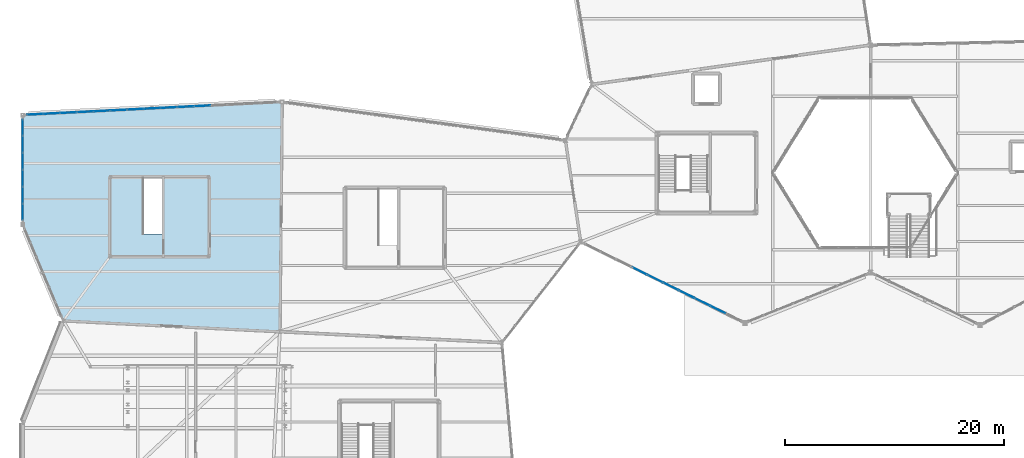
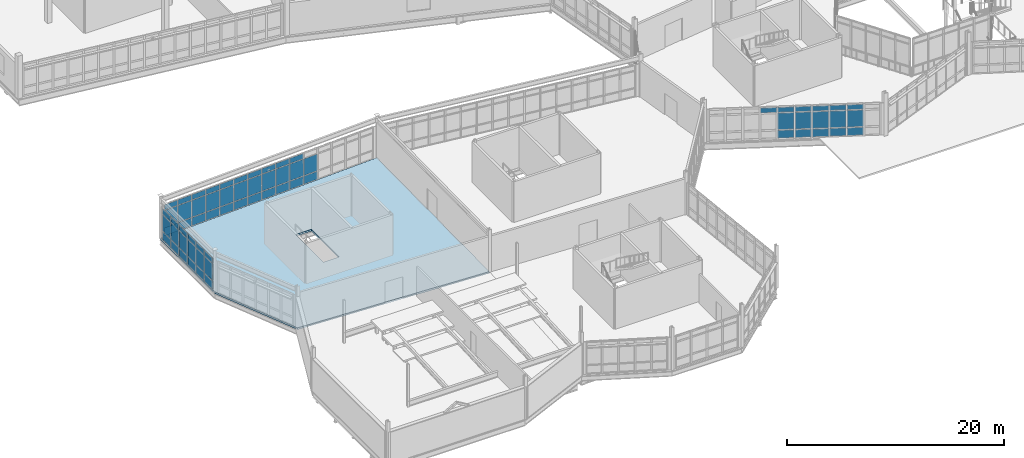
# One storey, part 83 of 134: 66 plates, 1 slab, 3 elements without a shape of their own.
"""IFC4 building model written with IfcOpenShell, lengths in metres."""

import ifcopenshell
import ifcopenshell.guid

model = None  # the IFC model being written
_history = None  # IfcOwnerHistory: only IFC2X3 demands one
_inside = {}  # id of a spatial element -> (the spatial element, [elements in it])
_under = {}  # id of a project, library or spatial element -> (it, [spatial elements below it])
_declared = {}  # id of a project -> (the project, [libraries it declares])
_typed = {}  # id of a type object -> (the type object, [elements of that type])
_made_of = {}  # id of a material, layer set ... -> (it, [elements and type objects made of it])


def new_model(schema):
    """Start an empty IFC model of exactly this schema.

    Asked for "IFC4X3", IfcOpenShell would pick the latest addendum, in which some entities
    have other attributes; the version numbers below select the first issue.
    IFC2X3 requires an IfcOwnerHistory on every rooted entity: one is made here for all.
    """
    global model, _history
    if schema == "IFC4X3":
        model = ifcopenshell.file(schema_version=(4, 3, 0, 0))
    else:
        model = ifcopenshell.file(schema=schema)
    _inside.clear()
    _under.clear()
    _declared.clear()
    _typed.clear()
    _made_of.clear()
    _history = None
    if model.schema == "IFC2X3":
        org = make("IfcOrganization", Name="unknown")
        user = make(
            "IfcPersonAndOrganization",
            ThePerson=make("IfcPerson", FamilyName="unknown"),
            TheOrganization=org,
        )
        app = make(
            "IfcApplication",
            ApplicationDeveloper=org,
            Version="unknown",
            ApplicationFullName="unknown",
            ApplicationIdentifier="unknown",
        )
        _history = make(
            "IfcOwnerHistory",
            OwningUser=user,
            OwningApplication=app,
            ChangeAction="ADDED",
            CreationDate=0,
        )
    return model


def make(cls, **values):
    """One entity of the class cls with the attributes given. An attribute that is None is left unset."""
    return model.create_entity(
        cls, **{name: value for name, value in values.items() if value is not None}
    )


def rooted(cls, **values):
    """An entity with a GlobalId (a new one), such as an element, a storey or a relation."""
    return make(cls, GlobalId=ifcopenshell.guid.new(), OwnerHistory=_history, **values)


def si_unit(unit_type, name, prefix=None):
    """IfcSIUnit, for example si_unit("LENGTHUNIT", "METRE", prefix="MILLI")."""
    return make("IfcSIUnit", UnitType=unit_type, Prefix=prefix, Name=name)


def assignment(units):
    """IfcUnitAssignment: the units of a project."""
    return None if units is None else make("IfcUnitAssignment", Units=units)


def point(xyz):
    """IfcCartesianPoint."""
    return None if xyz is None else make("IfcCartesianPoint", Coordinates=xyz)


def direction(xyz):
    """IfcDirection."""
    return None if xyz is None else make("IfcDirection", DirectionRatios=xyz)


def frame(location, z_axis=None, x_axis=None):
    """IfcAxis2Placement3D, a coordinate frame: its origin and axes. An axis left out is left unset."""
    return make(
        "IfcAxis2Placement3D",
        Location=point(location),
        Axis=direction(z_axis),
        RefDirection=direction(x_axis),
    )


def frame_2d(location, x_axis=None):
    """IfcAxis2Placement2D, a coordinate frame in the plane: its origin and x axis."""
    return make(
        "IfcAxis2Placement2D", Location=point(location), RefDirection=direction(x_axis)
    )


def origin():
    """The frame at (0, 0, 0) with its axes left unset."""
    return frame((0.0, 0.0, 0.0))


def origin_2d():
    """The frame at (0, 0) in the plane with its x axis left unset."""
    return frame_2d((0.0, 0.0))


def place(relative_to, where):
    """IfcLocalPlacement: puts the frame where relative to a parent placement (None: the world)."""
    return make(
        "IfcLocalPlacement", PlacementRelTo=relative_to, RelativePlacement=where
    )


def context(
    kind, dimensions, precision=None, world=None, true_north=None, identifier=None
):
    """IfcGeometricRepresentationContext, for example the 3D "Model" context."""
    return make(
        "IfcGeometricRepresentationContext",
        ContextIdentifier=identifier,
        ContextType=kind,
        CoordinateSpaceDimension=dimensions,
        Precision=precision,
        WorldCoordinateSystem=world,
        TrueNorth=true_north,
    )


def subcontext(parent, identifier, kind, view, scale=None):
    """IfcGeometricRepresentationSubContext, for example "Body" below "Model"."""
    return make(
        "IfcGeometricRepresentationSubContext",
        ContextIdentifier=identifier,
        ContextType=kind,
        ParentContext=parent,
        TargetScale=scale,
        TargetView=view,
    )


def project(units=None, contexts=None):
    """IfcProject with its units and contexts."""
    return rooted(
        "IfcProject",
        Name="project",
        RepresentationContexts=contexts,
        UnitsInContext=assignment(units),
    )


def spatial(cls, under=None, at=None, **own):
    """A site, building, storey or space (cls), placed at a placement, below another one or the project."""
    s = rooted(cls, ObjectPlacement=at, **own)
    if under is not None:
        _under.setdefault(under.id(), (under, []))[1].append(s)
    return s


def polyline(points):
    """IfcPolyline through the points."""
    return make("IfcPolyline", Points=[point(p) for p in points])


def profile(cls, at=None, kind="AREA", **sizes):
    """A parametric profile (cls). Its sizes go by their IFC names, for example OverallWidth=200.0."""
    return make(cls, ProfileType=kind, Position=at, **sizes)


def rectangle(**sizes):
    """IfcRectangleProfileDef."""
    return profile("IfcRectangleProfileDef", **sizes)


def outline(outer, holes=None, kind="AREA"):
    """IfcArbitraryClosedProfileDef: a profile drawn as a closed curve; with holes, ...WithVoids."""
    if holes is None:
        return make("IfcArbitraryClosedProfileDef", ProfileType=kind, OuterCurve=outer)
    return make(
        "IfcArbitraryProfileDefWithVoids",
        ProfileType=kind,
        OuterCurve=outer,
        InnerCurves=holes,
    )


def extrude(swept, where, along, depth):
    """IfcExtrudedAreaSolid: the profile swept, set in the frame where, extruded along a direction by depth."""
    return make(
        "IfcExtrudedAreaSolid",
        SweptArea=swept,
        Position=where,
        ExtrudedDirection=direction(along),
        Depth=depth,
    )


def shape(context_of_items, identifier, shape_type, items):
    """IfcShapeRepresentation: the items that make up one representation, for example the "Body"."""
    return make(
        "IfcShapeRepresentation",
        ContextOfItems=context_of_items,
        RepresentationIdentifier=identifier,
        RepresentationType=shape_type,
        Items=items,
    )


def material(Name=None, Category=None):
    """IfcMaterial."""
    return make("IfcMaterial", Name=Name, Category=Category)


def layer(
    of_material, thickness, ventilated=None, Name=None, Category=None, Priority=None
):
    """IfcMaterialLayer: one layer of a wall or slab, of a material (None: an air gap)."""
    return make(
        "IfcMaterialLayer",
        Material=of_material,
        LayerThickness=thickness,
        IsVentilated=ventilated,
        Name=Name,
        Category=Category,
        Priority=Priority,
    )


def layer_set(layers, Name=None):
    """IfcMaterialLayerSet."""
    return make("IfcMaterialLayerSet", MaterialLayers=layers, LayerSetName=Name)


def made_of(thing, what):
    """Note that an element or type object is made of a material, layer set ...; save() writes the relation."""
    if what is not None:
        _made_of.setdefault(what.id(), (what, []))[1].append(thing)
    return thing


def type_object(cls, material=None, **own):
    """A type object (cls), such as IfcWallType, which elements share."""
    return made_of(rooted(cls, **own), material)


def element(
    cls,
    number,
    at=None,
    inside=None,
    cuts=None,
    type_object=None,
    material=None,
    context=None,
    identifier="Body",
    shape_type=None,
    held_by="IfcProductDefinitionShape",
    body=None,
    shapes=None,
    **own,
):
    """One element of the class cls, such as IfcWall. Its Tag is "e" and its number.

    at: its placement. inside: the storey or other place that contains it. cuts: it is an
    opening in that element (IfcRelVoidsElement). A single representation is given by context,
    identifier, shape_type and body (its items); several are given by shapes. held_by: the class
    of the entity that holds the representations. save() writes the other relations.
    """
    e = rooted(cls, Tag="e%d" % number, ObjectPlacement=at, **own)
    if body is not None:
        shapes = [shape(context, identifier, shape_type, body)]
    if shapes is not None:
        e.Representation = make(held_by, Representations=shapes)
    if inside is not None:
        _inside.setdefault(inside.id(), (inside, []))[1].append(e)
    if cuts is not None:
        rooted(
            "IfcRelVoidsElement", RelatingBuildingElement=cuts, RelatedOpeningElement=e
        )
    if type_object is not None:
        _typed.setdefault(type_object.id(), (type_object, []))[1].append(e)
    return made_of(e, material)


def aggregate(whole, parts):
    """IfcRelAggregates: a whole, such as a stair, and the parts it consists of."""
    return rooted("IfcRelAggregates", RelatingObject=whole, RelatedObjects=parts)


def save(model, path):
    """Write the relations noted so far, then the file.

    IfcRelAggregates (storeys below a building ...), IfcRelContainedInSpatialStructure (elements
    in a storey), IfcRelDefinesByType, IfcRelAssociatesMaterial and IfcRelDeclares: one each for
    every whole, place, type object, material and project.
    """
    for whole, parts in _under.values():
        aggregate(whole, parts)
    for where, things in _inside.values():
        rooted(
            "IfcRelContainedInSpatialStructure",
            RelatedElements=things,
            RelatingStructure=where,
        )
    for kind, things in _typed.values():
        rooted("IfcRelDefinesByType", RelatedObjects=things, RelatingType=kind)
    for what, things in _made_of.values():
        rooted("IfcRelAssociatesMaterial", RelatedObjects=things, RelatingMaterial=what)
    for by, libraries in _declared.values():
        rooted("IfcRelDeclares", RelatingContext=by, RelatedDefinitions=libraries)
    model.write(path)


model = new_model("IFC4")

# Units and contexts
model_context = context("Model", 3, precision=1e-05, world=origin(), true_north=direction((0.0, 1.0)))
body_context = subcontext(model_context, "Body", "Model", "MODEL_VIEW")
ifc_project = project(units=[si_unit("LENGTHUNIT", "METRE"), si_unit("AREAUNIT", "SQUARE_METRE"), si_unit("VOLUMEUNIT", "CUBIC_METRE"), si_unit("PLANEANGLEUNIT", "RADIAN"), si_unit("MASSUNIT", "GRAM", prefix="KILO")], contexts=[model_context])

# Site, building, storey
site_placement = place(None, origin())
site = spatial("IfcSite", under=ifc_project, at=site_placement, CompositionType="ELEMENT")
building_placement = place(site_placement, origin())
building = spatial("IfcBuilding", under=site, at=building_placement, Name="Tameran Prism Museum", CompositionType="ELEMENT")
storey_placement = place(building_placement, frame((0.0, 0.0, 5.39990234375)))
storey = spatial("IfcBuildingStorey", under=building, at=storey_placement, Name="L01", CompositionType="ELEMENT", Elevation=5.39990234375)

# Curtain wall, plates
ifc_material_1 = material(Name="Anodised Aluminium 6063-T6 and Cyclone Solar Glass", Category="aluminium")
curtain_wall_type_1 = type_object("IfcCurtainWallType", Name="CW-FAC-1597x362", PredefinedType="USERDEFINED", material=ifc_material_1)
curtain_wall_1_placement = place(storey_placement, origin())
curtain_wall_1 = element("IfcCurtainWall", 1, at=curtain_wall_1_placement, inside=storey, type_object=curtain_wall_type_1, Name="Unitised Curtain Wall CW-062", ObjectType="UNITISED CURTAIN WALL", PredefinedType="USERDEFINED")
ifc_material_2 = material(Name="Cyclone Laminated Solar Glass", Category="glass")
ifc_layer_1 = layer(ifc_material_2, 0.031982421875)
ifc_layer_set_1 = layer_set([ifc_layer_1])
plate_type = type_object("IfcPlateType", Name="CW-PNL-G32", PredefinedType="CURTAIN_PANEL", material=ifc_layer_set_1)
plate_1_placement = place(storey_placement, frame((63.538330078125, 24.014404296875, 0.080078125), z_axis=(0.0, 0.0, 1.0), x_axis=(-0.896819470069, 0.442396697666, 0.0)))
plate_1 = element("IfcPlate", 2, at=plate_1_placement, type_object=plate_type, Name="CW-062 panel 2.1", PredefinedType="CURTAIN_PANEL", context=body_context, shape_type="SweptSolid", body=[
    extrude(rectangle(XDim=1.5166015625, YDim=0.031982421875, at=origin_2d()), origin(), (0.0, 0.0, 1.0), 0.8798828125),
])
plate_2_placement = place(storey_placement, frame((63.538330078125, 24.014404296875, 1.0400390625), z_axis=(0.0, 0.0, 1.0), x_axis=(-0.896819470069, 0.442396697666, 0.0)))
plate_2 = element("IfcPlate", 3, at=plate_2_placement, type_object=plate_type, Name="CW-062 panel 2.2", PredefinedType="CURTAIN_PANEL", context=body_context, shape_type="SweptSolid", body=[
    extrude(rectangle(XDim=1.5166015625, YDim=0.031982421875, at=origin_2d()), origin(), (0.0, 0.0, 1.0), 1.860107421875),
])
plate_3_placement = place(storey_placement, frame((63.538330078125, 24.014404296875, 2.97998046875), z_axis=(0.0, 0.0, 1.0), x_axis=(-0.896819470069, 0.442396697666, 0.0)))
plate_3 = element("IfcPlate", 4, at=plate_3_placement, type_object=plate_type, Name="CW-062 panel 2.3", PredefinedType="CURTAIN_PANEL", context=body_context, shape_type="SweptSolid", body=[
    extrude(rectangle(XDim=1.5166015625, YDim=0.031982421875, at=origin_2d()), origin(), (0.0, 0.0, 1.0), 0.56005859375),
])
plate_4_placement = place(storey_placement, frame((62.1064453125, 24.720703125, 0.080078125), z_axis=(0.0, 0.0, 1.0), x_axis=(-0.896819470069, 0.442396697666, 0.0)))
plate_4 = element("IfcPlate", 5, at=plate_4_placement, type_object=plate_type, Name="CW-062 panel 3.1", PredefinedType="CURTAIN_PANEL", context=body_context, shape_type="SweptSolid", body=[
    extrude(rectangle(XDim=1.5166015625, YDim=0.031982421875, at=origin_2d()), origin(), (0.0, 0.0, 1.0), 0.8798828125),
])
plate_5_placement = place(storey_placement, frame((62.1064453125, 24.720703125, 1.0400390625), z_axis=(0.0, 0.0, 1.0), x_axis=(-0.896819470069, 0.442396697666, 0.0)))
plate_5 = element("IfcPlate", 6, at=plate_5_placement, type_object=plate_type, Name="CW-062 panel 3.2", PredefinedType="CURTAIN_PANEL", context=body_context, shape_type="SweptSolid", body=[
    extrude(rectangle(XDim=1.5166015625, YDim=0.031982421875, at=origin_2d()), origin(), (0.0, 0.0, 1.0), 1.860107421875),
])
plate_6_placement = place(storey_placement, frame((62.1064453125, 24.720703125, 2.97998046875), z_axis=(0.0, 0.0, 1.0), x_axis=(-0.896819470069, 0.442396697666, 0.0)))
plate_6 = element("IfcPlate", 7, at=plate_6_placement, type_object=plate_type, Name="CW-062 panel 3.3", PredefinedType="CURTAIN_PANEL", context=body_context, shape_type="SweptSolid", body=[
    extrude(rectangle(XDim=1.5166015625, YDim=0.031982421875, at=origin_2d()), origin(), (0.0, 0.0, 1.0), 0.56005859375),
])
plate_7_placement = place(storey_placement, frame((60.6748046875, 25.427001953125, 0.080078125), z_axis=(0.0, 0.0, 1.0), x_axis=(-0.896819470069, 0.442396697666, 0.0)))
plate_7 = element("IfcPlate", 8, at=plate_7_placement, type_object=plate_type, Name="CW-062 panel 4.1", PredefinedType="CURTAIN_PANEL", context=body_context, shape_type="SweptSolid", body=[
    extrude(rectangle(XDim=1.5166015625, YDim=0.031982421875, at=origin_2d()), origin(), (0.0, 0.0, 1.0), 0.8798828125),
])
plate_8_placement = place(storey_placement, frame((60.6748046875, 25.427001953125, 1.0400390625), z_axis=(0.0, 0.0, 1.0), x_axis=(-0.896819470069, 0.442396697666, 0.0)))
plate_8 = element("IfcPlate", 9, at=plate_8_placement, type_object=plate_type, Name="CW-062 panel 4.2", PredefinedType="CURTAIN_PANEL", context=body_context, shape_type="SweptSolid", body=[
    extrude(rectangle(XDim=1.5166015625, YDim=0.031982421875, at=origin_2d()), origin(), (0.0, 0.0, 1.0), 1.860107421875),
])
plate_9_placement = place(storey_placement, frame((60.6748046875, 25.427001953125, 2.97998046875), z_axis=(0.0, 0.0, 1.0), x_axis=(-0.896819470069, 0.442396697666, 0.0)))
plate_9 = element("IfcPlate", 10, at=plate_9_placement, type_object=plate_type, Name="CW-062 panel 4.3", PredefinedType="CURTAIN_PANEL", context=body_context, shape_type="SweptSolid", body=[
    extrude(rectangle(XDim=1.5166015625, YDim=0.031982421875, at=origin_2d()), origin(), (0.0, 0.0, 1.0), 0.56005859375),
])
plate_10_placement = place(storey_placement, frame((59.242919921875, 26.13330078125, 0.080078125), z_axis=(0.0, 0.0, 1.0), x_axis=(-0.896819470069, 0.442396697666, 0.0)))
plate_10 = element("IfcPlate", 11, at=plate_10_placement, type_object=plate_type, Name="CW-062 panel 5.1", PredefinedType="CURTAIN_PANEL", context=body_context, shape_type="SweptSolid", body=[
    extrude(rectangle(XDim=1.5166015625, YDim=0.031982421875, at=origin_2d()), origin(), (0.0, 0.0, 1.0), 0.8798828125),
])
plate_11_placement = place(storey_placement, frame((59.242919921875, 26.13330078125, 1.0400390625), z_axis=(0.0, 0.0, 1.0), x_axis=(-0.896819470069, 0.442396697666, 0.0)))
plate_11 = element("IfcPlate", 12, at=plate_11_placement, type_object=plate_type, Name="CW-062 panel 5.2", PredefinedType="CURTAIN_PANEL", context=body_context, shape_type="SweptSolid", body=[
    extrude(rectangle(XDim=1.5166015625, YDim=0.031982421875, at=origin_2d()), origin(), (0.0, 0.0, 1.0), 1.860107421875),
])
plate_12_placement = place(storey_placement, frame((59.242919921875, 26.13330078125, 2.97998046875), z_axis=(0.0, 0.0, 1.0), x_axis=(-0.896819470069, 0.442396697666, 0.0)))
plate_12 = element("IfcPlate", 13, at=plate_12_placement, type_object=plate_type, Name="CW-062 panel 5.3", PredefinedType="CURTAIN_PANEL", context=body_context, shape_type="SweptSolid", body=[
    extrude(rectangle(XDim=1.5166015625, YDim=0.031982421875, at=origin_2d()), origin(), (0.0, 0.0, 1.0), 0.56005859375),
])
plate_13_placement = place(storey_placement, frame((57.81103515625, 26.839599609375, 0.080078125), z_axis=(0.0, 0.0, 1.0), x_axis=(-0.896819470069, 0.442396697666, 0.0)))
plate_13 = element("IfcPlate", 14, at=plate_13_placement, type_object=plate_type, Name="CW-062 panel 6.1", PredefinedType="CURTAIN_PANEL", context=body_context, shape_type="SweptSolid", body=[
    extrude(rectangle(XDim=1.5166015625, YDim=0.031982421875, at=origin_2d()), origin(), (0.0, 0.0, 1.0), 0.8798828125),
])
plate_14_placement = place(storey_placement, frame((57.81103515625, 26.839599609375, 1.0400390625), z_axis=(0.0, 0.0, 1.0), x_axis=(-0.896819470069, 0.442396697666, 0.0)))
plate_14 = element("IfcPlate", 15, at=plate_14_placement, type_object=plate_type, Name="CW-062 panel 6.2", PredefinedType="CURTAIN_PANEL", context=body_context, shape_type="SweptSolid", body=[
    extrude(rectangle(XDim=1.5166015625, YDim=0.031982421875, at=origin_2d()), origin(), (0.0, 0.0, 1.0), 1.860107421875),
])
plate_15_placement = place(storey_placement, frame((57.81103515625, 26.839599609375, 2.97998046875), z_axis=(0.0, 0.0, 1.0), x_axis=(-0.896819470069, 0.442396697666, 0.0)))
plate_15 = element("IfcPlate", 16, at=plate_15_placement, type_object=plate_type, Name="CW-062 panel 6.3", PredefinedType="CURTAIN_PANEL", context=body_context, shape_type="SweptSolid", body=[
    extrude(rectangle(XDim=1.5166015625, YDim=0.031982421875, at=origin_2d()), origin(), (0.0, 0.0, 1.0), 0.56005859375),
])
plate_16_placement = place(storey_placement, frame((56.37939453125, 27.5458984375, 2.97998046875), z_axis=(0.0, 0.0, 1.0), x_axis=(-0.896819470069, 0.442396697666, 0.0)))
plate_16 = element("IfcPlate", 17, at=plate_16_placement, type_object=plate_type, Name="CW-062 panel 7.3", PredefinedType="CURTAIN_PANEL", context=body_context, shape_type="SweptSolid", body=[
    extrude(rectangle(XDim=1.5166015625, YDim=0.031982421875, at=origin_2d()), origin(), (0.0, 0.0, 1.0), 0.56005859375),
])
aggregate(curtain_wall_1, [plate_1, plate_2, plate_3, plate_4, plate_5, plate_6, plate_7, plate_8, plate_9, plate_10, plate_11, plate_12, plate_13, plate_14, plate_15, plate_16])

ifc_material_3 = material(Name="Anodised Aluminium 6063-T6 and Cyclone Solar Glass", Category="aluminium")
curtain_wall_type_2 = type_object("IfcCurtainWallType", Name="CW-FAC-2297x362", PredefinedType="USERDEFINED", material=ifc_material_3)
curtain_wall_2_placement = place(storey_placement, origin())
curtain_wall_2 = element("IfcCurtainWall", 18, at=curtain_wall_2_placement, inside=storey, type_object=curtain_wall_type_2, Name="Unitised Curtain Wall CW-087", ObjectType="UNITISED CURTAIN WALL", PredefinedType="USERDEFINED")
plate_17_placement = place(storey_placement, frame((1.130859375, 41.857421875, 0.06494140625), z_axis=(0.0, 0.0, 1.0), x_axis=(0.99872175444, 0.050545595335, 0.0)))
plate_17 = element("IfcPlate", 19, at=plate_17_placement, type_object=plate_type, Name="CW-087 panel 1.1", PredefinedType="CURTAIN_PANEL", context=body_context, shape_type="SweptSolid", body=[
    extrude(rectangle(XDim=1.433837890625, YDim=0.031982421875, at=origin_2d()), origin(), (0.0, 0.0, 1.0), 0.902587890625),
])
plate_18_placement = place(storey_placement, frame((1.130859375, 41.857421875, 1.03271484375), z_axis=(0.0, 0.0, 1.0), x_axis=(0.99872175444, 0.050545595335, 0.0)))
plate_18 = element("IfcPlate", 20, at=plate_18_placement, type_object=plate_type, Name="CW-087 panel 1.2", PredefinedType="CURTAIN_PANEL", context=body_context, shape_type="SweptSolid", body=[
    extrude(rectangle(XDim=1.433837890625, YDim=0.031982421875, at=origin_2d()), origin(), (0.0, 0.0, 1.0), 1.875),
])
plate_19_placement = place(storey_placement, frame((1.130859375, 41.857421875, 2.97265625), z_axis=(0.0, 0.0, 1.0), x_axis=(0.99872175444, 0.050545595335, 0.0)))
plate_19 = element("IfcPlate", 21, at=plate_19_placement, type_object=plate_type, Name="CW-087 panel 1.3", PredefinedType="CURTAIN_PANEL", context=body_context, shape_type="SweptSolid", body=[
    extrude(rectangle(XDim=1.433837890625, YDim=0.031982421875, at=origin_2d()), origin(), (0.0, 0.0, 1.0), 0.58251953125),
])
plate_20_placement = place(storey_placement, frame((2.64404296875, 41.93408203125, 0.06494140625), z_axis=(0.0, 0.0, 1.0), x_axis=(0.99872175444, 0.050545595335, 0.0)))
plate_20 = element("IfcPlate", 22, at=plate_20_placement, type_object=plate_type, Name="CW-087 panel 2.1", PredefinedType="CURTAIN_PANEL", context=body_context, shape_type="SweptSolid", body=[
    extrude(rectangle(XDim=1.46630859375, YDim=0.031982421875, at=origin_2d()), origin(), (0.0, 0.0, 1.0), 0.902587890625),
])
plate_21_placement = place(storey_placement, frame((2.64404296875, 41.93408203125, 1.03271484375), z_axis=(0.0, 0.0, 1.0), x_axis=(0.99872175444, 0.050545595335, 0.0)))
plate_21 = element("IfcPlate", 23, at=plate_21_placement, type_object=plate_type, Name="CW-087 panel 2.2", PredefinedType="CURTAIN_PANEL", context=body_context, shape_type="SweptSolid", body=[
    extrude(rectangle(XDim=1.46630859375, YDim=0.031982421875, at=origin_2d()), origin(), (0.0, 0.0, 1.0), 1.875),
])
plate_22_placement = place(storey_placement, frame((2.64404296875, 41.93408203125, 2.97265625), z_axis=(0.0, 0.0, 1.0), x_axis=(0.99872175444, 0.050545595335, 0.0)))
plate_22 = element("IfcPlate", 24, at=plate_22_placement, type_object=plate_type, Name="CW-087 panel 2.3", PredefinedType="CURTAIN_PANEL", context=body_context, shape_type="SweptSolid", body=[
    extrude(rectangle(XDim=1.46630859375, YDim=0.031982421875, at=origin_2d()), origin(), (0.0, 0.0, 1.0), 0.58251953125),
])
plate_23_placement = place(storey_placement, frame((4.17333984375, 42.011474609375, 0.06494140625), z_axis=(0.0, 0.0, 1.0), x_axis=(0.99872175444, 0.050545595335, 0.0)))
plate_23 = element("IfcPlate", 25, at=plate_23_placement, type_object=plate_type, Name="CW-087 panel 3.1", PredefinedType="CURTAIN_PANEL", context=body_context, shape_type="SweptSolid", body=[
    extrude(rectangle(XDim=1.46630859375, YDim=0.031982421875, at=origin_2d()), origin(), (0.0, 0.0, 1.0), 0.902587890625),
])
plate_24_placement = place(storey_placement, frame((4.17333984375, 42.011474609375, 1.03271484375), z_axis=(0.0, 0.0, 1.0), x_axis=(0.99872175444, 0.050545595335, 0.0)))
plate_24 = element("IfcPlate", 26, at=plate_24_placement, type_object=plate_type, Name="CW-087 panel 3.2", PredefinedType="CURTAIN_PANEL", context=body_context, shape_type="SweptSolid", body=[
    extrude(rectangle(XDim=1.46630859375, YDim=0.031982421875, at=origin_2d()), origin(), (0.0, 0.0, 1.0), 1.875),
])
plate_25_placement = place(storey_placement, frame((4.17333984375, 42.011474609375, 2.97265625), z_axis=(0.0, 0.0, 1.0), x_axis=(0.99872175444, 0.050545595335, 0.0)))
plate_25 = element("IfcPlate", 27, at=plate_25_placement, type_object=plate_type, Name="CW-087 panel 3.3", PredefinedType="CURTAIN_PANEL", context=body_context, shape_type="SweptSolid", body=[
    extrude(rectangle(XDim=1.46630859375, YDim=0.031982421875, at=origin_2d()), origin(), (0.0, 0.0, 1.0), 0.58251953125),
])
plate_26_placement = place(storey_placement, frame((5.70263671875, 42.0888671875, 0.06494140625), z_axis=(0.0, 0.0, 1.0), x_axis=(0.99872175444, 0.050545595335, 0.0)))
plate_26 = element("IfcPlate", 28, at=plate_26_placement, type_object=plate_type, Name="CW-087 panel 4.1", PredefinedType="CURTAIN_PANEL", context=body_context, shape_type="SweptSolid", body=[
    extrude(rectangle(XDim=1.46630859375, YDim=0.031982421875, at=origin_2d()), origin(), (0.0, 0.0, 1.0), 0.902587890625),
])
plate_27_placement = place(storey_placement, frame((5.70263671875, 42.0888671875, 1.03271484375), z_axis=(0.0, 0.0, 1.0), x_axis=(0.99872175444, 0.050545595335, 0.0)))
plate_27 = element("IfcPlate", 29, at=plate_27_placement, type_object=plate_type, Name="CW-087 panel 4.2", PredefinedType="CURTAIN_PANEL", context=body_context, shape_type="SweptSolid", body=[
    extrude(rectangle(XDim=1.46630859375, YDim=0.031982421875, at=origin_2d()), origin(), (0.0, 0.0, 1.0), 1.875),
])
plate_28_placement = place(storey_placement, frame((5.70263671875, 42.0888671875, 2.97265625), z_axis=(0.0, 0.0, 1.0), x_axis=(0.99872175444, 0.050545595335, 0.0)))
plate_28 = element("IfcPlate", 30, at=plate_28_placement, type_object=plate_type, Name="CW-087 panel 4.3", PredefinedType="CURTAIN_PANEL", context=body_context, shape_type="SweptSolid", body=[
    extrude(rectangle(XDim=1.46630859375, YDim=0.031982421875, at=origin_2d()), origin(), (0.0, 0.0, 1.0), 0.58251953125),
])
plate_29_placement = place(storey_placement, frame((7.23193359375, 42.166259765625, 0.06494140625), z_axis=(0.0, 0.0, 1.0), x_axis=(0.99872175444, 0.050545595335, 0.0)))
plate_29 = element("IfcPlate", 31, at=plate_29_placement, type_object=plate_type, Name="CW-087 panel 5.1", PredefinedType="CURTAIN_PANEL", context=body_context, shape_type="SweptSolid", body=[
    extrude(rectangle(XDim=1.46630859375, YDim=0.031982421875, at=origin_2d()), origin(), (0.0, 0.0, 1.0), 0.902587890625),
])
plate_30_placement = place(storey_placement, frame((7.23193359375, 42.166259765625, 1.03271484375), z_axis=(0.0, 0.0, 1.0), x_axis=(0.99872175444, 0.050545595335, 0.0)))
plate_30 = element("IfcPlate", 32, at=plate_30_placement, type_object=plate_type, Name="CW-087 panel 5.2", PredefinedType="CURTAIN_PANEL", context=body_context, shape_type="SweptSolid", body=[
    extrude(rectangle(XDim=1.46630859375, YDim=0.031982421875, at=origin_2d()), origin(), (0.0, 0.0, 1.0), 1.875),
])
plate_31_placement = place(storey_placement, frame((7.23193359375, 42.166259765625, 2.97265625), z_axis=(0.0, 0.0, 1.0), x_axis=(0.99872175444, 0.050545595335, 0.0)))
plate_31 = element("IfcPlate", 33, at=plate_31_placement, type_object=plate_type, Name="CW-087 panel 5.3", PredefinedType="CURTAIN_PANEL", context=body_context, shape_type="SweptSolid", body=[
    extrude(rectangle(XDim=1.46630859375, YDim=0.031982421875, at=origin_2d()), origin(), (0.0, 0.0, 1.0), 0.58251953125),
])
plate_32_placement = place(storey_placement, frame((8.76123046875, 42.24365234375, 0.06494140625), z_axis=(0.0, 0.0, 1.0), x_axis=(0.99872175444, 0.050545595335, 0.0)))
plate_32 = element("IfcPlate", 34, at=plate_32_placement, type_object=plate_type, Name="CW-087 panel 6.1", PredefinedType="CURTAIN_PANEL", context=body_context, shape_type="SweptSolid", body=[
    extrude(rectangle(XDim=1.46630859375, YDim=0.031982421875, at=origin_2d()), origin(), (0.0, 0.0, 1.0), 0.902587890625),
])
plate_33_placement = place(storey_placement, frame((8.76123046875, 42.24365234375, 1.03271484375), z_axis=(0.0, 0.0, 1.0), x_axis=(0.99872175444, 0.050545595335, 0.0)))
plate_33 = element("IfcPlate", 35, at=plate_33_placement, type_object=plate_type, Name="CW-087 panel 6.2", PredefinedType="CURTAIN_PANEL", context=body_context, shape_type="SweptSolid", body=[
    extrude(rectangle(XDim=1.46630859375, YDim=0.031982421875, at=origin_2d()), origin(), (0.0, 0.0, 1.0), 1.875),
])
plate_34_placement = place(storey_placement, frame((8.76123046875, 42.24365234375, 2.97265625), z_axis=(0.0, 0.0, 1.0), x_axis=(0.99872175444, 0.050545595335, 0.0)))
plate_34 = element("IfcPlate", 36, at=plate_34_placement, type_object=plate_type, Name="CW-087 panel 6.3", PredefinedType="CURTAIN_PANEL", context=body_context, shape_type="SweptSolid", body=[
    extrude(rectangle(XDim=1.46630859375, YDim=0.031982421875, at=origin_2d()), origin(), (0.0, 0.0, 1.0), 0.58251953125),
])
plate_35_placement = place(storey_placement, frame((10.290771484375, 42.321044921875, 0.06494140625), z_axis=(0.0, 0.0, 1.0), x_axis=(0.99872175444, 0.050545595335, 0.0)))
plate_35 = element("IfcPlate", 37, at=plate_35_placement, type_object=plate_type, Name="CW-087 panel 7.1", PredefinedType="CURTAIN_PANEL", context=body_context, shape_type="SweptSolid", body=[
    extrude(rectangle(XDim=1.46630859375, YDim=0.031982421875, at=origin_2d()), origin(), (0.0, 0.0, 1.0), 0.902587890625),
])
plate_36_placement = place(storey_placement, frame((10.290771484375, 42.321044921875, 1.03271484375), z_axis=(0.0, 0.0, 1.0), x_axis=(0.99872175444, 0.050545595335, 0.0)))
plate_36 = element("IfcPlate", 38, at=plate_36_placement, type_object=plate_type, Name="CW-087 panel 7.2", PredefinedType="CURTAIN_PANEL", context=body_context, shape_type="SweptSolid", body=[
    extrude(rectangle(XDim=1.46630859375, YDim=0.031982421875, at=origin_2d()), origin(), (0.0, 0.0, 1.0), 1.875),
])
plate_37_placement = place(storey_placement, frame((10.290771484375, 42.321044921875, 2.97265625), z_axis=(0.0, 0.0, 1.0), x_axis=(0.99872175444, 0.050545595335, 0.0)))
plate_37 = element("IfcPlate", 39, at=plate_37_placement, type_object=plate_type, Name="CW-087 panel 7.3", PredefinedType="CURTAIN_PANEL", context=body_context, shape_type="SweptSolid", body=[
    extrude(rectangle(XDim=1.46630859375, YDim=0.031982421875, at=origin_2d()), origin(), (0.0, 0.0, 1.0), 0.58251953125),
])
plate_38_placement = place(storey_placement, frame((11.820068359375, 42.3984375, 0.06494140625), z_axis=(0.0, 0.0, 1.0), x_axis=(0.99872175444, 0.050545595335, 0.0)))
plate_38 = element("IfcPlate", 40, at=plate_38_placement, type_object=plate_type, Name="CW-087 panel 8.1", PredefinedType="CURTAIN_PANEL", context=body_context, shape_type="SweptSolid", body=[
    extrude(rectangle(XDim=1.46630859375, YDim=0.031982421875, at=origin_2d()), origin(), (0.0, 0.0, 1.0), 0.902587890625),
])
plate_39_placement = place(storey_placement, frame((11.820068359375, 42.3984375, 1.03271484375), z_axis=(0.0, 0.0, 1.0), x_axis=(0.99872175444, 0.050545595335, 0.0)))
plate_39 = element("IfcPlate", 41, at=plate_39_placement, type_object=plate_type, Name="CW-087 panel 8.2", PredefinedType="CURTAIN_PANEL", context=body_context, shape_type="SweptSolid", body=[
    extrude(rectangle(XDim=1.46630859375, YDim=0.031982421875, at=origin_2d()), origin(), (0.0, 0.0, 1.0), 1.875),
])
plate_40_placement = place(storey_placement, frame((11.820068359375, 42.3984375, 2.97265625), z_axis=(0.0, 0.0, 1.0), x_axis=(0.99872175444, 0.050545595335, 0.0)))
plate_40 = element("IfcPlate", 42, at=plate_40_placement, type_object=plate_type, Name="CW-087 panel 8.3", PredefinedType="CURTAIN_PANEL", context=body_context, shape_type="SweptSolid", body=[
    extrude(rectangle(XDim=1.46630859375, YDim=0.031982421875, at=origin_2d()), origin(), (0.0, 0.0, 1.0), 0.58251953125),
])
plate_41_placement = place(storey_placement, frame((13.349365234375, 42.475830078125, 0.06494140625), z_axis=(0.0, 0.0, 1.0), x_axis=(0.99872175444, 0.050545595335, 0.0)))
plate_41 = element("IfcPlate", 43, at=plate_41_placement, type_object=plate_type, Name="CW-087 panel 9.1", PredefinedType="CURTAIN_PANEL", context=body_context, shape_type="SweptSolid", body=[
    extrude(rectangle(XDim=1.46630859375, YDim=0.031982421875, at=origin_2d()), origin(), (0.0, 0.0, 1.0), 0.902587890625),
])
plate_42_placement = place(storey_placement, frame((13.349365234375, 42.475830078125, 1.03271484375), z_axis=(0.0, 0.0, 1.0), x_axis=(0.99872175444, 0.050545595335, 0.0)))
plate_42 = element("IfcPlate", 44, at=plate_42_placement, type_object=plate_type, Name="CW-087 panel 9.2", PredefinedType="CURTAIN_PANEL", context=body_context, shape_type="SweptSolid", body=[
    extrude(rectangle(XDim=1.46630859375, YDim=0.031982421875, at=origin_2d()), origin(), (0.0, 0.0, 1.0), 1.875),
])
plate_43_placement = place(storey_placement, frame((13.349365234375, 42.475830078125, 2.97265625), z_axis=(0.0, 0.0, 1.0), x_axis=(0.99872175444, 0.050545595335, 0.0)))
plate_43 = element("IfcPlate", 45, at=plate_43_placement, type_object=plate_type, Name="CW-087 panel 9.3", PredefinedType="CURTAIN_PANEL", context=body_context, shape_type="SweptSolid", body=[
    extrude(rectangle(XDim=1.46630859375, YDim=0.031982421875, at=origin_2d()), origin(), (0.0, 0.0, 1.0), 0.58251953125),
])
plate_44_placement = place(storey_placement, frame((14.878662109375, 42.55322265625, 0.06494140625), z_axis=(0.0, 0.0, 1.0), x_axis=(0.99872175444, 0.050545595335, 0.0)))
plate_44 = element("IfcPlate", 46, at=plate_44_placement, type_object=plate_type, Name="CW-087 panel 10.1", PredefinedType="CURTAIN_PANEL", context=body_context, shape_type="SweptSolid", body=[
    extrude(rectangle(XDim=1.46630859375, YDim=0.031982421875, at=origin_2d()), origin(), (0.0, 0.0, 1.0), 0.902587890625),
])
plate_45_placement = place(storey_placement, frame((14.878662109375, 42.55322265625, 1.03271484375), z_axis=(0.0, 0.0, 1.0), x_axis=(0.99872175444, 0.050545595335, 0.0)))
plate_45 = element("IfcPlate", 47, at=plate_45_placement, type_object=plate_type, Name="CW-087 panel 10.2", PredefinedType="CURTAIN_PANEL", context=body_context, shape_type="SweptSolid", body=[
    extrude(rectangle(XDim=1.46630859375, YDim=0.031982421875, at=origin_2d()), origin(), (0.0, 0.0, 1.0), 1.875),
])
plate_46_placement = place(storey_placement, frame((14.878662109375, 42.55322265625, 2.97265625), z_axis=(0.0, 0.0, 1.0), x_axis=(0.99872175444, 0.050545595335, 0.0)))
plate_46 = element("IfcPlate", 48, at=plate_46_placement, type_object=plate_type, Name="CW-087 panel 10.3", PredefinedType="CURTAIN_PANEL", context=body_context, shape_type="SweptSolid", body=[
    extrude(rectangle(XDim=1.46630859375, YDim=0.031982421875, at=origin_2d()), origin(), (0.0, 0.0, 1.0), 0.58251953125),
])
plate_47_placement = place(storey_placement, frame((16.407958984375, 42.630615234375, 0.06494140625), z_axis=(0.0, 0.0, 1.0), x_axis=(0.99872175444, 0.050545595335, 0.0)))
plate_47 = element("IfcPlate", 49, at=plate_47_placement, type_object=plate_type, Name="CW-087 panel 11.1", PredefinedType="CURTAIN_PANEL", context=body_context, shape_type="SweptSolid", body=[
    extrude(rectangle(XDim=1.46630859375, YDim=0.031982421875, at=origin_2d()), origin(), (0.0, 0.0, 1.0), 0.902587890625),
])
plate_48_placement = place(storey_placement, frame((16.407958984375, 42.630615234375, 1.03271484375), z_axis=(0.0, 0.0, 1.0), x_axis=(0.99872175444, 0.050545595335, 0.0)))
plate_48 = element("IfcPlate", 50, at=plate_48_placement, type_object=plate_type, Name="CW-087 panel 11.2", PredefinedType="CURTAIN_PANEL", context=body_context, shape_type="SweptSolid", body=[
    extrude(rectangle(XDim=1.46630859375, YDim=0.031982421875, at=origin_2d()), origin(), (0.0, 0.0, 1.0), 1.875),
])
aggregate(curtain_wall_2, [plate_17, plate_18, plate_19, plate_20, plate_21, plate_22, plate_23, plate_24, plate_25, plate_26, plate_27, plate_28, plate_29, plate_30, plate_31, plate_32, plate_33, plate_34, plate_35, plate_36, plate_37, plate_38, plate_39, plate_40, plate_41, plate_42, plate_43, plate_44, plate_45, plate_46, plate_47, plate_48])

ifc_material_4 = material(Name="Anodised Aluminium 6063-T6 and Cyclone Solar Glass", Category="aluminium")
curtain_wall_type_3 = type_object("IfcCurtainWallType", Name="CW-FAC-930x362", PredefinedType="USERDEFINED", material=ifc_material_4)
curtain_wall_3_placement = place(storey_placement, origin())
curtain_wall_3 = element("IfcCurtainWall", 51, at=curtain_wall_3_placement, inside=storey, type_object=curtain_wall_type_3, Name="Unitised Curtain Wall CW-088", ObjectType="UNITISED CURTAIN WALL", PredefinedType="USERDEFINED")
plate_49_placement = place(storey_placement, frame((0.0, 32.9423828125, 0.070068359375), z_axis=(0.0, 0.0, 1.0), x_axis=(0.0, 1.0, 0.0)))
plate_49 = element("IfcPlate", 52, at=plate_49_placement, type_object=plate_type, Name="CW-088 panel 1.1", PredefinedType="CURTAIN_PANEL", context=body_context, shape_type="SweptSolid", body=[
    extrude(rectangle(XDim=1.445068359375, YDim=0.031982421875, at=origin_2d()), origin(), (0.0, 0.0, 1.0), 0.89501953125),
])
plate_50_placement = place(storey_placement, frame((0.0, 32.9423828125, 1.03515625), z_axis=(0.0, 0.0, 1.0), x_axis=(0.0, 1.0, 0.0)))
plate_50 = element("IfcPlate", 53, at=plate_50_placement, type_object=plate_type, Name="CW-088 panel 1.2", PredefinedType="CURTAIN_PANEL", context=body_context, shape_type="SweptSolid", body=[
    extrude(rectangle(XDim=1.445068359375, YDim=0.031982421875, at=origin_2d()), origin(), (0.0, 0.0, 1.0), 1.8701171875),
])
plate_51_placement = place(storey_placement, frame((0.0, 32.9423828125, 2.97509765625), z_axis=(0.0, 0.0, 1.0), x_axis=(0.0, 1.0, 0.0)))
plate_51 = element("IfcPlate", 54, at=plate_51_placement, type_object=plate_type, Name="CW-088 panel 1.3", PredefinedType="CURTAIN_PANEL", context=body_context, shape_type="SweptSolid", body=[
    extrude(rectangle(XDim=1.445068359375, YDim=0.031982421875, at=origin_2d()), origin(), (0.0, 0.0, 1.0), 0.574951171875),
])
plate_52_placement = place(storey_placement, frame((0.0, 34.47509765625, 0.070068359375), z_axis=(0.0, 0.0, 1.0), x_axis=(0.0, 1.0, 0.0)))
plate_52 = element("IfcPlate", 55, at=plate_52_placement, type_object=plate_type, Name="CW-088 panel 2.1", PredefinedType="CURTAIN_PANEL", context=body_context, shape_type="SweptSolid", body=[
    extrude(rectangle(XDim=1.47998046875, YDim=0.031982421875, at=origin_2d()), origin(), (0.0, 0.0, 1.0), 0.89501953125),
])
plate_53_placement = place(storey_placement, frame((0.0, 34.47509765625, 1.03515625), z_axis=(0.0, 0.0, 1.0), x_axis=(0.0, 1.0, 0.0)))
plate_53 = element("IfcPlate", 56, at=plate_53_placement, type_object=plate_type, Name="CW-088 panel 2.2", PredefinedType="CURTAIN_PANEL", context=body_context, shape_type="SweptSolid", body=[
    extrude(rectangle(XDim=1.47998046875, YDim=0.031982421875, at=origin_2d()), origin(), (0.0, 0.0, 1.0), 1.8701171875),
])
plate_54_placement = place(storey_placement, frame((0.0, 34.47509765625, 2.97509765625), z_axis=(0.0, 0.0, 1.0), x_axis=(0.0, 1.0, 0.0)))
plate_54 = element("IfcPlate", 57, at=plate_54_placement, type_object=plate_type, Name="CW-088 panel 2.3", PredefinedType="CURTAIN_PANEL", context=body_context, shape_type="SweptSolid", body=[
    extrude(rectangle(XDim=1.47998046875, YDim=0.031982421875, at=origin_2d()), origin(), (0.0, 0.0, 1.0), 0.574951171875),
])
plate_55_placement = place(storey_placement, frame((0.0, 36.02490234375, 0.070068359375), z_axis=(0.0, 0.0, 1.0), x_axis=(0.0, 1.0, 0.0)))
plate_55 = element("IfcPlate", 58, at=plate_55_placement, type_object=plate_type, Name="CW-088 panel 3.1", PredefinedType="CURTAIN_PANEL", context=body_context, shape_type="SweptSolid", body=[
    extrude(rectangle(XDim=1.47998046875, YDim=0.031982421875, at=origin_2d()), origin(), (0.0, 0.0, 1.0), 0.89501953125),
])
plate_56_placement = place(storey_placement, frame((0.0, 36.02490234375, 1.03515625), z_axis=(0.0, 0.0, 1.0), x_axis=(0.0, 1.0, 0.0)))
plate_56 = element("IfcPlate", 59, at=plate_56_placement, type_object=plate_type, Name="CW-088 panel 3.2", PredefinedType="CURTAIN_PANEL", context=body_context, shape_type="SweptSolid", body=[
    extrude(rectangle(XDim=1.47998046875, YDim=0.031982421875, at=origin_2d()), origin(), (0.0, 0.0, 1.0), 1.8701171875),
])
plate_57_placement = place(storey_placement, frame((0.0, 36.02490234375, 2.97509765625), z_axis=(0.0, 0.0, 1.0), x_axis=(0.0, 1.0, 0.0)))
plate_57 = element("IfcPlate", 60, at=plate_57_placement, type_object=plate_type, Name="CW-088 panel 3.3", PredefinedType="CURTAIN_PANEL", context=body_context, shape_type="SweptSolid", body=[
    extrude(rectangle(XDim=1.47998046875, YDim=0.031982421875, at=origin_2d()), origin(), (0.0, 0.0, 1.0), 0.574951171875),
])
plate_58_placement = place(storey_placement, frame((0.0, 37.574951171875, 0.070068359375), z_axis=(0.0, 0.0, 1.0), x_axis=(0.0, 1.0, 0.0)))
plate_58 = element("IfcPlate", 61, at=plate_58_placement, type_object=plate_type, Name="CW-088 panel 4.1", PredefinedType="CURTAIN_PANEL", context=body_context, shape_type="SweptSolid", body=[
    extrude(rectangle(XDim=1.47998046875, YDim=0.031982421875, at=origin_2d()), origin(), (0.0, 0.0, 1.0), 0.89501953125),
])
plate_59_placement = place(storey_placement, frame((0.0, 37.574951171875, 1.03515625), z_axis=(0.0, 0.0, 1.0), x_axis=(0.0, 1.0, 0.0)))
plate_59 = element("IfcPlate", 62, at=plate_59_placement, type_object=plate_type, Name="CW-088 panel 4.2", PredefinedType="CURTAIN_PANEL", context=body_context, shape_type="SweptSolid", body=[
    extrude(rectangle(XDim=1.47998046875, YDim=0.031982421875, at=origin_2d()), origin(), (0.0, 0.0, 1.0), 1.8701171875),
])
plate_60_placement = place(storey_placement, frame((0.0, 37.574951171875, 2.97509765625), z_axis=(0.0, 0.0, 1.0), x_axis=(0.0, 1.0, 0.0)))
plate_60 = element("IfcPlate", 63, at=plate_60_placement, type_object=plate_type, Name="CW-088 panel 4.3", PredefinedType="CURTAIN_PANEL", context=body_context, shape_type="SweptSolid", body=[
    extrude(rectangle(XDim=1.47998046875, YDim=0.031982421875, at=origin_2d()), origin(), (0.0, 0.0, 1.0), 0.574951171875),
])
plate_61_placement = place(storey_placement, frame((0.0, 39.125, 0.070068359375), z_axis=(0.0, 0.0, 1.0), x_axis=(0.0, 1.0, 0.0)))
plate_61 = element("IfcPlate", 64, at=plate_61_placement, type_object=plate_type, Name="CW-088 panel 5.1", PredefinedType="CURTAIN_PANEL", context=body_context, shape_type="SweptSolid", body=[
    extrude(rectangle(XDim=1.47998046875, YDim=0.031982421875, at=origin_2d()), origin(), (0.0, 0.0, 1.0), 0.89501953125),
])
plate_62_placement = place(storey_placement, frame((0.0, 39.125, 1.03515625), z_axis=(0.0, 0.0, 1.0), x_axis=(0.0, 1.0, 0.0)))
plate_62 = element("IfcPlate", 65, at=plate_62_placement, type_object=plate_type, Name="CW-088 panel 5.2", PredefinedType="CURTAIN_PANEL", context=body_context, shape_type="SweptSolid", body=[
    extrude(rectangle(XDim=1.47998046875, YDim=0.031982421875, at=origin_2d()), origin(), (0.0, 0.0, 1.0), 1.8701171875),
])
plate_63_placement = place(storey_placement, frame((0.0, 39.125, 2.97509765625), z_axis=(0.0, 0.0, 1.0), x_axis=(0.0, 1.0, 0.0)))
plate_63 = element("IfcPlate", 66, at=plate_63_placement, type_object=plate_type, Name="CW-088 panel 5.3", PredefinedType="CURTAIN_PANEL", context=body_context, shape_type="SweptSolid", body=[
    extrude(rectangle(XDim=1.47998046875, YDim=0.031982421875, at=origin_2d()), origin(), (0.0, 0.0, 1.0), 0.574951171875),
])
plate_64_placement = place(storey_placement, frame((0.0, 40.657470703125, 0.070068359375), z_axis=(0.0, 0.0, 1.0), x_axis=(0.0, 1.0, 0.0)))
plate_64 = element("IfcPlate", 67, at=plate_64_placement, type_object=plate_type, Name="CW-088 panel 6.1", PredefinedType="CURTAIN_PANEL", context=body_context, shape_type="SweptSolid", body=[
    extrude(rectangle(XDim=1.445068359375, YDim=0.031982421875, at=origin_2d()), origin(), (0.0, 0.0, 1.0), 0.89501953125),
])
plate_65_placement = place(storey_placement, frame((0.0, 40.657470703125, 1.03515625), z_axis=(0.0, 0.0, 1.0), x_axis=(0.0, 1.0, 0.0)))
plate_65 = element("IfcPlate", 68, at=plate_65_placement, type_object=plate_type, Name="CW-088 panel 6.2", PredefinedType="CURTAIN_PANEL", context=body_context, shape_type="SweptSolid", body=[
    extrude(rectangle(XDim=1.445068359375, YDim=0.031982421875, at=origin_2d()), origin(), (0.0, 0.0, 1.0), 1.8701171875),
])
plate_66_placement = place(storey_placement, frame((0.0, 40.657470703125, 2.97509765625), z_axis=(0.0, 0.0, 1.0), x_axis=(0.0, 1.0, 0.0)))
plate_66 = element("IfcPlate", 69, at=plate_66_placement, type_object=plate_type, Name="CW-088 panel 6.3", PredefinedType="CURTAIN_PANEL", context=body_context, shape_type="SweptSolid", body=[
    extrude(rectangle(XDim=1.445068359375, YDim=0.031982421875, at=origin_2d()), origin(), (0.0, 0.0, 1.0), 0.574951171875),
])
aggregate(curtain_wall_3, [plate_49, plate_50, plate_51, plate_52, plate_53, plate_54, plate_55, plate_56, plate_57, plate_58, plate_59, plate_60, plate_61, plate_62, plate_63, plate_64, plate_65, plate_66])

# Slab
ifc_material_5 = material(Name="Concrete N32 (32 MPa)", Category="concrete")
ifc_layer_2 = layer(ifc_material_5, 0.199951171875)
ifc_layer_set_2 = layer_set([ifc_layer_2])
slab_type = type_object("IfcSlabType", Name="SL-FLR-200", PredefinedType="FLOOR", material=ifc_layer_set_2)
slab_placement = place(storey_placement, frame((0.0, 0.0, -0.199951171875)))
element("IfcSlab", 70, at=slab_placement, inside=storey, type_object=slab_type, Name="Floor Slab FS-P13-L01", PredefinedType="FLOOR", context=body_context, shape_type="SweptSolid", body=[
    extrude(outline(polyline([(23.5, 22.0), (3.699951171875, 23.0), (0.0, 31.800048828125), (0.0, 41.800048828125), (23.699951171875, 43.0), (23.5, 22.0)]), holes=[polyline([(12.719970703125, 36.050048828125), (11.050048828125, 36.050048828125), (11.050048828125, 30.93994140625), (12.719970703125, 30.93994140625), (12.719970703125, 36.050048828125)])]), origin(), (0.0, 0.0, 1.0), 0.199951171875),
])

save(model, "model.ifc")
